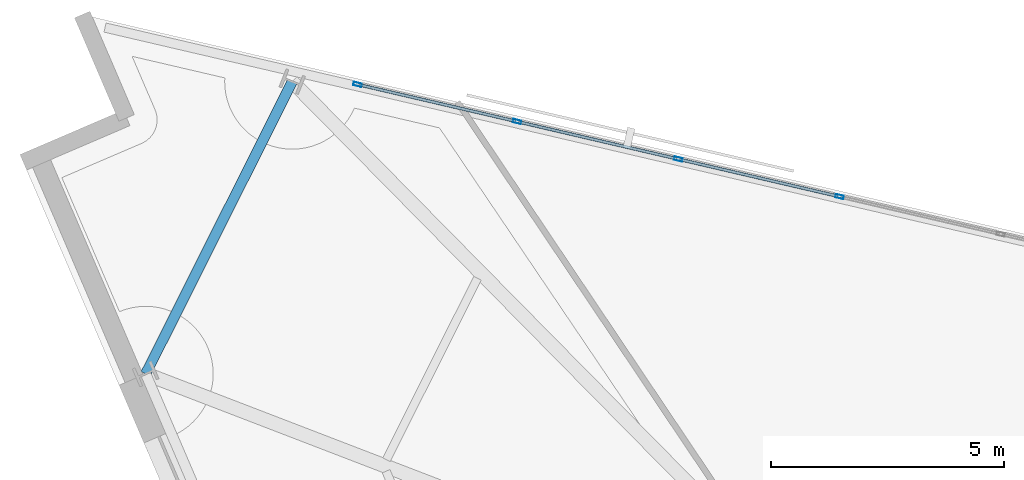
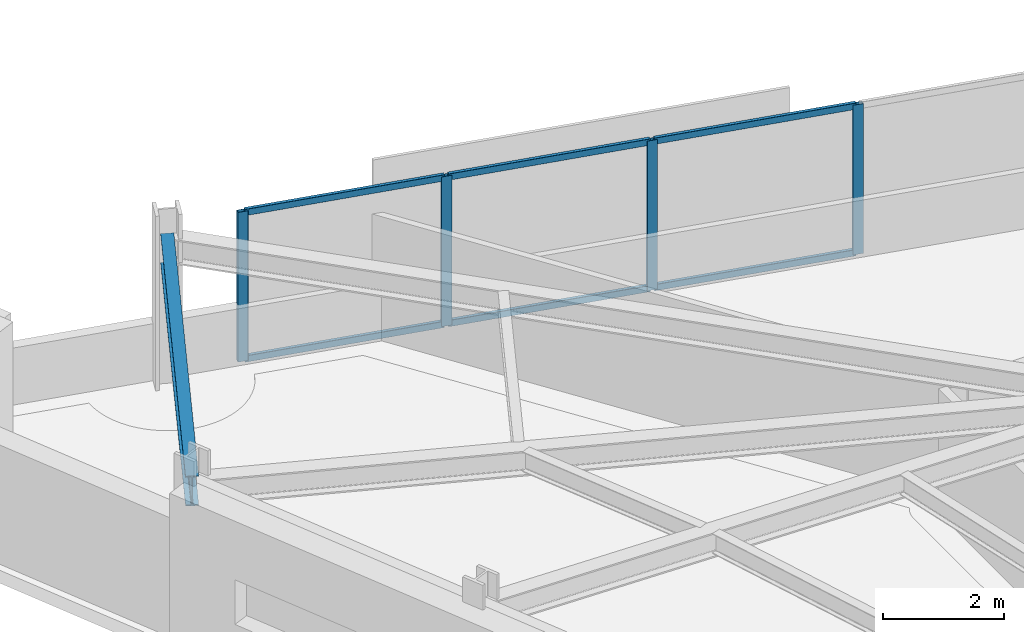
# One storey, part 6 of 14: 10 members, 1 beam, 1 element without a shape of its own.
"""IFC4 building model written with IfcOpenShell, lengths in metres."""

from ifc_helpers import new_model, si_unit, direction, frame, origin, origin_2d, place, context, subcontext, project, spatial, hollow_rectangle, i_section, extrude, material, material_profile, profile_set, type_object, element, aggregate, save


model = new_model("IFC4")

# Units and contexts
model_context = context("Model", 3, precision=1e-05, world=origin(), true_north=direction((0.0, 1.0)))
body_context = subcontext(model_context, "Body", "Model", "MODEL_VIEW")
ifc_project = project(units=[si_unit("LENGTHUNIT", "METRE"), si_unit("AREAUNIT", "SQUARE_METRE"), si_unit("VOLUMEUNIT", "CUBIC_METRE"), si_unit("PLANEANGLEUNIT", "RADIAN"), si_unit("MASSUNIT", "GRAM", prefix="KILO")], contexts=[model_context])

# Site, building, storey
site_placement = place(None, origin())
site = spatial("IfcSite", under=ifc_project, at=site_placement, CompositionType="ELEMENT")
building_placement = place(site_placement, origin())
building = spatial("IfcBuilding", under=site, at=building_placement, Name="Narakoshi Arena Tower", CompositionType="ELEMENT")
storey_placement = place(building_placement, frame((0.0, 0.0, 193.179931640625)))
storey = spatial("IfcBuildingStorey", under=building, at=storey_placement, Name="L52", CompositionType="ELEMENT", Elevation=193.179931640625)

# Beam
ifc_material_1 = material(Name="Structural steel S355J2", Category="steel")
ifc_material_profile_1 = material_profile(ifc_material_1, i_section(OverallWidth=0.219970703125, OverallDepth=0.60009765625, WebThickness=0.011962890625, FlangeThickness=0.01904296875, FilletRadius=0.02392578125, at=origin_2d()), Name="IPE600")
ifc_profile_set_1 = profile_set([ifc_material_profile_1], Name="Structural steel S355J2")
beam_type = type_object("IfcBeamType", Name="BM-EDGE-600", PredefinedType="BEAM", material=ifc_profile_set_1)
beam_placement = place(storey_placement, frame((60.12158203125, 68.55126953125, 2.719970703125), z_axis=(-0.448312643015, -0.893876822674, 0.0), x_axis=(0.893876822674, -0.448312643015, 0.0)))
element("IfcBeam", 1, at=beam_placement, inside=storey, type_object=beam_type, Name="L52 Perimeter Edge Girder 07", PredefinedType="BEAM", context=body_context, shape_type="SweptSolid", body=[
    extrude(i_section(OverallWidth=0.219970703125, OverallDepth=0.60009765625, WebThickness=0.011962890625, FlangeThickness=0.01904296875, FilletRadius=0.02392578125, at=origin_2d()), origin(), (0.0, 0.0, 1.0), 7.017333984375),
])

# Curtain wall, members
ifc_material_2 = material(Name="Anodised bronze aluminium 6063-T6", Category="aluminium")
curtain_wall_type = type_object("IfcCurtainWallType", Name="CW-HYP-MID", PredefinedType="NOTDEFINED", material=ifc_material_2)
curtain_wall_placement = place(storey_placement, origin())
curtain_wall = element("IfcCurtainWall", 2, at=curtain_wall_placement, inside=storey, type_object=curtain_wall_type, Name="L52 Folded Hypotenuse Curtain Wall 2-1", PredefinedType="NOTDEFINED")
ifc_material_profile_2 = material_profile(ifc_material_2, hollow_rectangle(XDim=0.074951171875, YDim=0.179931640625, WallThickness=0.00390625, OuterFilletRadius=0.0048828125, at=origin_2d()), Name="MUL180x75x4")
ifc_profile_set_2 = profile_set([ifc_material_profile_2], Name="Anodised bronze aluminium 6063-T6")
member_type_1 = type_object("IfcMemberType", Name="MEM-MUL-180", PredefinedType="MULLION", material=ifc_profile_set_2)
member_1_placement = place(storey_placement, frame((71.869873046875, 66.08349609375, 0.0), z_axis=(0.0, 0.0, 1.0), x_axis=(-0.22672122121, -0.973959695189, 0.0)))
member_1 = element("IfcMember", 3, at=member_1_placement, type_object=member_type_1, Name="CW-02 mullion 5", PredefinedType="MULLION", context=body_context, shape_type="SweptSolid", body=[
    extrude(hollow_rectangle(XDim=0.074951171875, YDim=0.179931640625, WallThickness=0.00390625, OuterFilletRadius=0.0048828125, at=origin_2d()), origin(), (0.0, 0.0, 1.0), 3.02001953125),
])
member_2_placement = place(storey_placement, frame((68.408935546875, 66.88916015625, 0.0), z_axis=(0.0, 0.0, 1.0), x_axis=(-0.22672122121, -0.973959695189, 0.0)))
member_2 = element("IfcMember", 4, at=member_2_placement, type_object=member_type_1, Name="CW-02 mullion 6", PredefinedType="MULLION", context=body_context, shape_type="SweptSolid", body=[
    extrude(hollow_rectangle(XDim=0.074951171875, YDim=0.179931640625, WallThickness=0.00390625, OuterFilletRadius=0.0048828125, at=origin_2d()), origin(), (0.0, 0.0, 1.0), 3.02001953125),
])
member_3_placement = place(storey_placement, frame((64.947998046875, 67.69482421875, 0.0), z_axis=(0.0, 0.0, 1.0), x_axis=(-0.22672122121, -0.973959695189, 0.0)))
member_3 = element("IfcMember", 5, at=member_3_placement, type_object=member_type_1, Name="CW-02 mullion 7", PredefinedType="MULLION", context=body_context, shape_type="SweptSolid", body=[
    extrude(hollow_rectangle(XDim=0.074951171875, YDim=0.179931640625, WallThickness=0.00390625, OuterFilletRadius=0.0048828125, at=origin_2d()), origin(), (0.0, 0.0, 1.0), 3.02001953125),
])
member_4_placement = place(storey_placement, frame((61.523681640625, 68.491943359375, 0.0), z_axis=(0.0, 0.0, 1.0), x_axis=(-0.22672122121, -0.973959695189, 0.0)))
member_4 = element("IfcMember", 6, at=member_4_placement, type_object=member_type_1, Name="CW-02 mullion 8", PredefinedType="MULLION", context=body_context, shape_type="SweptSolid", body=[
    extrude(hollow_rectangle(XDim=0.074951171875, YDim=0.179931640625, WallThickness=0.00390625, OuterFilletRadius=0.0048828125, at=origin_2d()), origin(), (0.0, 0.0, 1.0), 3.02001953125),
])
ifc_material_profile_3 = material_profile(ifc_material_2, hollow_rectangle(XDim=0.06494140625, YDim=0.1298828125, WallThickness=0.00390625, OuterFilletRadius=0.0048828125, at=origin_2d()), Name="TRN130x65x4")
ifc_profile_set_3 = profile_set([ifc_material_profile_3], Name="Anodised bronze aluminium 6063-T6")
member_type_2 = type_object("IfcMemberType", Name="MEM-TRN-130", PredefinedType="USERDEFINED", material=ifc_profile_set_3)
member_5_placement = place(storey_placement, frame((71.833251953125, 66.092041015625, 0.032470703125), z_axis=(-0.973961188664, 0.226714805375, 0.0), x_axis=(-0.226714805375, -0.973961188664, 0.0)))
member_5 = element("IfcMember", 7, at=member_5_placement, type_object=member_type_2, Name="CW-02 transom 5.1", ObjectType="TRANSOM", PredefinedType="USERDEFINED", context=body_context, shape_type="SweptSolid", body=[
    extrude(hollow_rectangle(XDim=0.06494140625, YDim=0.1298828125, WallThickness=0.00390625, OuterFilletRadius=0.0048828125, at=origin_2d()), origin(), (0.0, 0.0, 1.0), 3.478271484375),
])
member_6_placement = place(storey_placement, frame((71.833251953125, 66.092041015625, 2.987548828125), z_axis=(-0.973961188664, 0.226714805375, 0.0), x_axis=(-0.226714805375, -0.973961188664, 0.0)))
member_6 = element("IfcMember", 8, at=member_6_placement, type_object=member_type_2, Name="CW-02 transom 5.2", ObjectType="TRANSOM", PredefinedType="USERDEFINED", context=body_context, shape_type="SweptSolid", body=[
    extrude(hollow_rectangle(XDim=0.06494140625, YDim=0.1298828125, WallThickness=0.00390625, OuterFilletRadius=0.0048828125, at=origin_2d()), origin(), (0.0, 0.0, 1.0), 3.478271484375),
])
member_7_placement = place(storey_placement, frame((68.372314453125, 66.897705078125, 0.032470703125), z_axis=(-0.973961188664, 0.226714805375, 0.0), x_axis=(-0.226714805375, -0.973961188664, 0.0)))
member_7 = element("IfcMember", 9, at=member_7_placement, type_object=member_type_2, Name="CW-02 transom 6.1", ObjectType="TRANSOM", PredefinedType="USERDEFINED", context=body_context, shape_type="SweptSolid", body=[
    extrude(hollow_rectangle(XDim=0.06494140625, YDim=0.1298828125, WallThickness=0.00390625, OuterFilletRadius=0.0048828125, at=origin_2d()), origin(), (0.0, 0.0, 1.0), 3.478271484375),
])
member_8_placement = place(storey_placement, frame((68.372314453125, 66.897705078125, 2.987548828125), z_axis=(-0.973961188664, 0.226714805375, 0.0), x_axis=(-0.226714805375, -0.973961188664, 0.0)))
member_8 = element("IfcMember", 10, at=member_8_placement, type_object=member_type_2, Name="CW-02 transom 6.2", ObjectType="TRANSOM", PredefinedType="USERDEFINED", context=body_context, shape_type="SweptSolid", body=[
    extrude(hollow_rectangle(XDim=0.06494140625, YDim=0.1298828125, WallThickness=0.00390625, OuterFilletRadius=0.0048828125, at=origin_2d()), origin(), (0.0, 0.0, 1.0), 3.478271484375),
])
member_9_placement = place(storey_placement, frame((64.91162109375, 67.703369140625, 0.032470703125), z_axis=(-0.973966145101, 0.22669351159, 0.0), x_axis=(-0.22669351159, -0.973966145101, 0.0)))
member_9 = element("IfcMember", 11, at=member_9_placement, type_object=member_type_2, Name="CW-02 transom 7.1", ObjectType="TRANSOM", PredefinedType="USERDEFINED", context=body_context, shape_type="SweptSolid", body=[
    extrude(hollow_rectangle(XDim=0.06494140625, YDim=0.1298828125, WallThickness=0.00390625, OuterFilletRadius=0.0048828125, at=origin_2d()), origin(), (0.0, 0.0, 1.0), 3.44091796875),
])
member_10_placement = place(storey_placement, frame((64.91162109375, 67.703369140625, 2.987548828125), z_axis=(-0.973966145101, 0.22669351159, 0.0), x_axis=(-0.22669351159, -0.973966145101, 0.0)))
member_10 = element("IfcMember", 12, at=member_10_placement, type_object=member_type_2, Name="CW-02 transom 7.2", ObjectType="TRANSOM", PredefinedType="USERDEFINED", context=body_context, shape_type="SweptSolid", body=[
    extrude(hollow_rectangle(XDim=0.06494140625, YDim=0.1298828125, WallThickness=0.00390625, OuterFilletRadius=0.0048828125, at=origin_2d()), origin(), (0.0, 0.0, 1.0), 3.44091796875),
])
aggregate(curtain_wall, [member_1, member_2, member_3, member_4, member_5, member_6, member_7, member_8, member_9, member_10])

save(model, "model.ifc")
